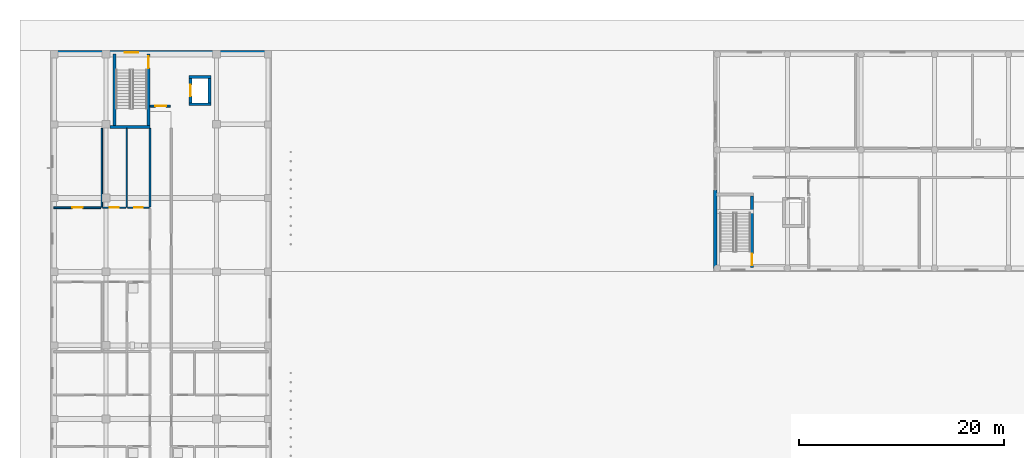
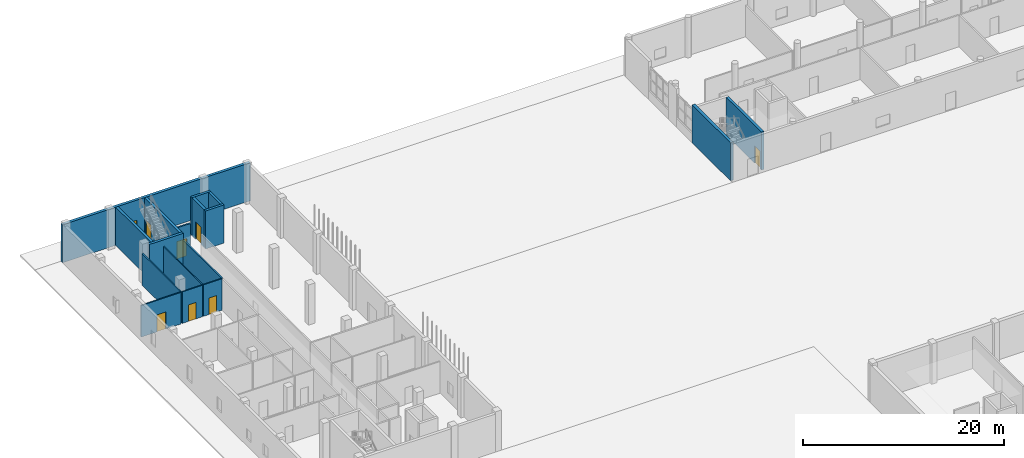
# One storey, part 45 of 85: 17 walls, 8 doors, 8 openings.
"""IFC4 building model written with IfcOpenShell, lengths in metres."""

from ifc_helpers import new_model, si_unit, derived_unit, direction, frame, frame_2d, origin, place, context, subcontext, project, spatial, rectangle, extrude, material, layer, layer_set, type_object, element, fill, save


model = new_model("IFC4")

# Units and contexts
model_context = context("Model", 3, precision=1e-05, world=origin(), true_north=direction((0.0, 1.0)))
body_context = subcontext(model_context, "Body", "Model", "MODEL_VIEW")
ifc_project = project(units=[si_unit("LENGTHUNIT", "METRE"), si_unit("AREAUNIT", "SQUARE_METRE"), si_unit("VOLUMEUNIT", "CUBIC_METRE"), si_unit("PLANEANGLEUNIT", "RADIAN"), si_unit("MASSUNIT", "GRAM", prefix="KILO"), derived_unit("THERMALTRANSMITTANCEUNIT", [(si_unit("MASSUNIT", "GRAM", prefix="KILO"), 1), (si_unit("TIMEUNIT", "SECOND"), -3), (si_unit("THERMODYNAMICTEMPERATUREUNIT", "KELVIN"), -1)])], contexts=[model_context])

# Site, building, storey
site_placement = place(None, origin())
site = spatial("IfcSite", under=ifc_project, at=site_placement, CompositionType="ELEMENT")
building_placement = place(site_placement, origin())
building = spatial("IfcBuilding", under=site, at=building_placement, Name="Ochrekiln Boulevard Commons", CompositionType="ELEMENT")
storey_placement = place(building_placement, origin())
storey = spatial("IfcBuildingStorey", under=building, at=storey_placement, Name="L00", CompositionType="ELEMENT", Elevation=0.0)

# Wall, opening, door
ifc_material_1 = material(Name="Desert ochre clinker brick masonry ASTM C216 Grade SW", Category="masonry")
ifc_layer_1 = layer(ifc_material_1, 0.320068359375)
ifc_layer_set_1 = layer_set([ifc_layer_1], Name="Desert ochre clinker brick masonry ASTM C216 Grade SW")
wall_type_1 = type_object("IfcWallType", Name="WL-EXT-OCHRE-320", PredefinedType="SOLIDWALL", material=ifc_layer_set_1)
wall_1_placement = place(storey_placement, frame((0.0, 118.639892578125, 0.0), z_axis=(0.0, 0.0, 1.0), x_axis=(1.0, 0.0, 0.0)))
wall_1 = element("IfcWall", 1, at=wall_1_placement, inside=storey, type_object=wall_type_1, Name="Block A L00 N Exterior Wall", PredefinedType="SOLIDWALL", context=body_context, shape_type="SweptSolid", body=[
    extrude(rectangle(XDim=21.60009765625, YDim=0.320068359375, at=frame_2d((10.800048828125, 0.0))), origin(), (0.0, 0.0, 1.0), 4.639892578125),
])
opening_1_placement = place(wall_1_placement, frame((7.25, 0.0, 0.0)))
opening_1 = element("IfcOpeningElement", 2, at=opening_1_placement, cuts=wall_1, Name="Opening D-L00-EX02", PredefinedType="OPENING", context=body_context, shape_type="SweptSolid", body=[
    extrude(rectangle(XDim=1.300048828125, YDim=2.199951171875, at=frame_2d((0.64990234375, 1.10009765625))), frame((0.0, 0.169921875, 0.0), z_axis=(0.0, -1.0, 0.0), x_axis=(1.0, 0.0, 0.0)), (0.0, 0.0, 1.0), 0.340087890625),
])
ifc_material_2 = material(Name="Bronze-anodized extruded aluminium 6063-T6", Category="aluminium")
door_type_1 = type_object("IfcDoorType", Name="DR-EXT-STAIR-130", OperationType="NOTDEFINED", PredefinedType="DOOR", material=ifc_material_2)
door_1_placement = place(opening_1_placement, origin())
door_1 = element("IfcDoor", 3, at=door_1_placement, inside=storey, type_object=door_type_1, Name="Stair ST-A2 Exterior Exit Discharge Door", OperationType="SINGLE_SWING_RIGHT", OverallHeight=2.199951171875, OverallWidth=1.300048828125, PredefinedType="DOOR", context=body_context, shape_type="SweptSolid", body=[
    extrude(rectangle(XDim=1.300048828125, YDim=2.199951171875, at=frame_2d((0.64990234375, 1.10009765625))), frame((0.0, 0.02490234375, 0.0), z_axis=(0.0, -1.0, 0.0), x_axis=(1.0, 0.0, 0.0)), (0.0, 0.0, 1.0), 0.050048828125),
])
fill(opening_1, door_1)

# Walls
wall_2_placement = place(storey_placement, frame((64.9599609375, 97.52001953125, 0.0), z_axis=(0.0, 0.0, 1.0), x_axis=(0.0, 1.0, 0.0)))
element("IfcWall", 4, at=wall_2_placement, inside=storey, type_object=wall_type_1, Name="Nursery Pavilion L00 W South Pier Wall", PredefinedType="SOLIDWALL", context=body_context, shape_type="SweptSolid", body=[
    extrude(rectangle(XDim=7.64990234375, YDim=0.320068359375, at=frame_2d((3.824951171875, 0.0))), origin(), (0.0, 0.0, 1.0), 4.6298828125),
])
ifc_material_3 = material(Name="Fire-rated Type X gypsum board on steel studs", Category="steel")
ifc_layer_2 = layer(ifc_material_3, 0.1650390625)
ifc_layer_set_2 = layer_set([ifc_layer_2], Name="Fire-rated Type X gypsum board on steel studs")
wall_type_2 = type_object("IfcWallType", Name="WL-PT-CORR-165", PredefinedType="PARTITIONING", material=ifc_layer_set_2)
wall_3_placement = place(storey_placement, frame((9.7099609375, 103.530029296875, 0.0), z_axis=(0.0, 0.0, 1.0), x_axis=(0.0, 1.0, 0.0)))
element("IfcWall", 5, at=wall_3_placement, inside=storey, type_object=wall_type_2, Name="L00 Interior Wall W-PC165", PredefinedType="PARTITIONING", context=body_context, shape_type="SweptSolid", body=[
    extrude(rectangle(XDim=7.669921875, YDim=0.1650390625, at=frame_2d((3.8349609375, 0.0))), origin(), (0.0, 0.0, 1.0), 3.840087890625),
])

# Wall, opening, door
ifc_layer_3 = layer(ifc_material_3, 0.18994140625)
ifc_layer_set_3 = layer_set([ifc_layer_3], Name="Fire-rated Type X gypsum board on steel studs")
wall_type_3 = type_object("IfcWallType", Name="WL-PT-LBY-190", PredefinedType="PARTITIONING", material=ifc_layer_set_3)
wall_4_placement = place(storey_placement, frame((9.699951171875, 113.3798828125, 0.0), z_axis=(0.0, 0.0, 1.0), x_axis=(1.0, 0.0, 0.0)))
wall_4 = element("IfcWall", 6, at=wall_4_placement, inside=storey, type_object=wall_type_3, Name="L00 Interior Wall W-PL190", PredefinedType="PARTITIONING", context=body_context, shape_type="SweptSolid", body=[
    extrude(rectangle(XDim=2.0, YDim=0.18994140625, at=frame_2d((1.0, 0.0))), origin(), (0.0, 0.0, 1.0), 3.840087890625),
])
opening_2_placement = place(wall_4_placement, frame((0.5, 0.0, 0.0)))
opening_2 = element("IfcOpeningElement", 7, at=opening_2_placement, cuts=wall_4, Name="Opening D-L00-002", PredefinedType="OPENING", context=body_context, shape_type="SweptSolid", body=[
    extrude(rectangle(XDim=1.10009765625, YDim=2.1201171875, at=frame_2d((0.550048828125, 1.06005859375))), frame((0.0, 0.10498046875, 0.0), z_axis=(0.0, -1.0, 0.0), x_axis=(1.0, 0.0, 0.0)), (0.0, 0.0, 1.0), 0.2099609375),
])
ifc_material_4 = material(Name="Hollow metal fire-rated steel door assembly", Category="steel")
door_type_2 = type_object("IfcDoorType", Name="DR-LOBBY-60", OperationType="NOTDEFINED", PredefinedType="DOOR", material=ifc_material_4)
door_2_placement = place(opening_2_placement, origin())
door_2 = element("IfcDoor", 8, at=door_2_placement, inside=storey, type_object=door_type_2, Name="L00 Interior Door to Fire Service Access Elevator Lobby", OperationType="SINGLE_SWING_RIGHT", OverallHeight=2.1201171875, OverallWidth=1.10009765625, PredefinedType="DOOR", context=body_context, shape_type="SweptSolid", body=[
    extrude(rectangle(XDim=1.10009765625, YDim=2.1201171875, at=frame_2d((0.550048828125, 1.06005859375))), frame((0.0, 0.02490234375, 0.0), z_axis=(0.0, -1.0, 0.0), x_axis=(1.0, 0.0, 0.0)), (0.0, 0.0, 1.0), 0.050048828125),
])
fill(opening_2, door_2)

ifc_layer_4 = layer(ifc_material_3, 0.1201171875)
ifc_layer_set_4 = layer_set([ifc_layer_4], Name="Fire-rated Type X gypsum board on steel studs")
wall_type_4 = type_object("IfcWallType", Name="WL-PT-LGT-120", PredefinedType="PARTITIONING", material=ifc_layer_set_4)
wall_5_placement = place(storey_placement, frame((7.52001953125, 103.449951171875, 0.0), z_axis=(0.0, 0.0, 1.0), x_axis=(1.0, 0.0, 0.0)))
wall_5 = element("IfcWall", 9, at=wall_5_placement, inside=storey, type_object=wall_type_4, Name="L00 Interior Wall W-PL120", PredefinedType="PARTITIONING", context=body_context, shape_type="SweptSolid", body=[
    extrude(rectangle(XDim=2.10791015625, YDim=0.1201171875, at=frame_2d((1.053955078125, 0.0))), origin(), (0.0, 0.0, 1.0), 3.840087890625),
])
opening_3_placement = place(wall_5_placement, frame((0.625, 0.0, 0.0)))
opening_3 = element("IfcOpeningElement", 10, at=opening_3_placement, cuts=wall_5, Name="Opening D-L00-013", PredefinedType="OPENING", context=body_context, shape_type="SweptSolid", body=[
    extrude(rectangle(XDim=0.85009765625, YDim=2.010009765625, at=frame_2d((0.425048828125, 1.0048828125))), frame((0.0, 0.070068359375, 0.0), z_axis=(0.0, -1.0, 0.0), x_axis=(1.0, 0.0, 0.0)), (0.0, 0.0, 1.0), 0.14013671875),
])
ifc_material_5 = material(Name="Solid core architectural oak door leaf")
door_type_3 = type_object("IfcDoorType", Name="DR-INT-KIT-085", OperationType="NOTDEFINED", PredefinedType="DOOR", material=ifc_material_5)
door_3_placement = place(opening_3_placement, origin())
door_3 = element("IfcDoor", 11, at=door_3_placement, inside=storey, type_object=door_type_3, Name="L00 Interior Door to Apartment Kitchen", OperationType="SINGLE_SWING_LEFT", OverallHeight=2.010009765625, OverallWidth=0.85009765625, PredefinedType="DOOR", context=body_context, shape_type="SweptSolid", body=[
    extrude(rectangle(XDim=0.85009765625, YDim=2.010009765625, at=frame_2d((0.425048828125, 1.0048828125))), frame((0.0, 0.02490234375, 0.0), z_axis=(0.0, -1.0, 0.0), x_axis=(1.0, 0.0, 0.0)), (0.0, 0.0, 1.0), 0.050048828125),
])
fill(opening_3, door_3)

wall_6_placement = place(storey_placement, frame((5.072998046875, 103.449951171875, 0.0), z_axis=(0.0, 0.0, 1.0), x_axis=(1.0, 0.0, 0.0)))
wall_6 = element("IfcWall", 12, at=wall_6_placement, inside=storey, type_object=wall_type_4, Name="L00 Interior Wall W-PL120", PredefinedType="PARTITIONING", context=body_context, shape_type="SweptSolid", body=[
    extrude(rectangle(XDim=2.287109375, YDim=0.1201171875, at=frame_2d((1.1435546875, 0.0))), origin(), (0.0, 0.0, 1.0), 3.840087890625),
])
opening_4_placement = place(wall_6_placement, frame((0.718017578125, 0.0, 0.0)))
opening_4 = element("IfcOpeningElement", 13, at=opening_4_placement, cuts=wall_6, Name="Opening D-L00-017", PredefinedType="OPENING", context=body_context, shape_type="SweptSolid", body=[
    extrude(rectangle(XDim=0.85009765625, YDim=2.010009765625, at=frame_2d((0.425048828125, 1.0048828125))), frame((0.0, 0.070068359375, 0.0), z_axis=(0.0, -1.0, 0.0), x_axis=(1.0, 0.0, 0.0)), (0.0, 0.0, 1.0), 0.14013671875),
])
door_4_placement = place(opening_4_placement, origin())
door_4 = element("IfcDoor", 14, at=door_4_placement, inside=storey, type_object=door_type_3, Name="L00 Interior Door to Apartment Walk-In Wardrobe", OperationType="SINGLE_SWING_LEFT", OverallHeight=2.010009765625, OverallWidth=0.85009765625, PredefinedType="DOOR", context=body_context, shape_type="SweptSolid", body=[
    extrude(rectangle(XDim=0.85009765625, YDim=2.010009765625, at=frame_2d((0.425048828125, 1.0048828125))), frame((0.0, 0.02490234375, 0.0), z_axis=(0.0, -1.0, 0.0), x_axis=(1.0, 0.0, 0.0)), (0.0, 0.0, 1.0), 0.050048828125),
])
fill(opening_4, door_4)

# Wall
wall_7_placement = place(storey_placement, frame((7.43994140625, 103.510009765625, 0.0), z_axis=(0.0, 0.0, 1.0), x_axis=(0.0, 1.0, 0.0)))
element("IfcWall", 15, at=wall_7_placement, inside=storey, type_object=wall_type_4, Name="L00 Interior Wall W-PL120", PredefinedType="PARTITIONING", context=body_context, shape_type="SweptSolid", body=[
    extrude(rectangle(XDim=7.68994140625, YDim=0.1201171875, at=frame_2d((3.844970703125, 0.0))), origin(), (0.0, 0.0, 1.0), 3.840087890625),
])

# Wall, opening, door
ifc_layer_5 = layer(ifc_material_3, 0.14990234375)
ifc_layer_set_5 = layer_set([ifc_layer_5], Name="Fire-rated Type X gypsum board on steel studs")
wall_type_5 = type_object("IfcWallType", Name="WL-PT-STD-150", PredefinedType="PARTITIONING", material=ifc_layer_set_5)
wall_8_placement = place(storey_placement, frame((0.320068359375, 103.449951171875, 0.0), z_axis=(0.0, 0.0, 1.0), x_axis=(1.0, 0.0, 0.0)))
wall_8 = element("IfcWall", 16, at=wall_8_placement, inside=storey, type_object=wall_type_5, Name="L00 Interior Wall W-PS150", PredefinedType="PARTITIONING", context=body_context, shape_type="SweptSolid", body=[
    extrude(rectangle(XDim=4.593017578125, YDim=0.14990234375, at=frame_2d((2.29638671875, 0.0))), origin(), (0.0, 0.0, 1.0), 3.840087890625),
])
opening_5_placement = place(wall_8_placement, frame((1.7919921875, 0.0, 0.0)))
opening_5 = element("IfcOpeningElement", 17, at=opening_5_placement, cuts=wall_8, Name="Opening D-L00-016", PredefinedType="OPENING", context=body_context, shape_type="SweptSolid", body=[
    extrude(rectangle(XDim=1.0400390625, YDim=2.080078125, at=frame_2d((0.52001953125, 1.0400390625))), frame((0.0, 0.0849609375, 0.0), z_axis=(0.0, -1.0, 0.0), x_axis=(1.0, 0.0, 0.0)), (0.0, 0.0, 1.0), 0.169921875),
])
door_type_4 = type_object("IfcDoorType", Name="DR-INT-BED-104", OperationType="NOTDEFINED", PredefinedType="DOOR", material=ifc_material_5)
door_5_placement = place(opening_5_placement, origin())
door_5 = element("IfcDoor", 18, at=door_5_placement, inside=storey, type_object=door_type_4, Name="L00 Interior Door to Secondary Apartment Bedroom", OperationType="SINGLE_SWING_RIGHT", OverallHeight=2.080078125, OverallWidth=1.0400390625, PredefinedType="DOOR", context=body_context, shape_type="SweptSolid", body=[
    extrude(rectangle(XDim=1.0400390625, YDim=2.080078125, at=frame_2d((0.52001953125, 1.0400390625))), frame((0.0, 0.02490234375, 0.0), z_axis=(0.0, -1.0, 0.0), x_axis=(1.0, 0.0, 0.0)), (0.0, 0.0, 1.0), 0.050048828125),
])
fill(opening_5, door_5)

# Walls
wall_9_placement = place(storey_placement, frame((4.992919921875, 103.510009765625, 0.0), z_axis=(0.0, 0.0, 1.0), x_axis=(0.0, 1.0, 0.0)))
element("IfcWall", 19, at=wall_9_placement, inside=storey, type_object=wall_type_5, Name="L00 Interior Wall W-PS150", PredefinedType="PARTITIONING", context=body_context, shape_type="SweptSolid", body=[
    extrude(rectangle(XDim=7.68994140625, YDim=0.14990234375, at=frame_2d((3.844970703125, 0.0))), origin(), (0.0, 0.0, 1.0), 3.840087890625),
])
ifc_material_6 = material(Name="Concrete C40/50", Category="concrete")
ifc_layer_6 = layer(ifc_material_6, 0.27490234375)
ifc_layer_set_6 = layer_set([ifc_layer_6], Name="Concrete C40/50")
wall_type_6 = type_object("IfcWallType", Name="WL-SH-275", PredefinedType="SHEAR", material=ifc_layer_set_6)
for number, where, z_axis, x_axis, name in (
    (20, (13.52490234375, 113.5625, 0.0), (0.0, 0.0, 1.0), (1.0, 0.0, 0.0), "Elevator FF-A2 L00 Hoistway Shear Wall"),
    (21, (13.52490234375, 116.237548828125, 0.0), (0.0, 0.0, 1.0), (1.0, 0.0, 0.0), "Elevator FF-A2 L00 Hoistway Shear Wall"),
):
    element("IfcWall", number, at=place(storey_placement, frame(where, z_axis=z_axis, x_axis=x_axis)), inside=storey, type_object=wall_type_6, Name=name, PredefinedType="SHEAR", context=body_context, shape_type="SweptSolid", body=[
        extrude(rectangle(XDim=2.150146484375, YDim=0.27490234375, at=frame_2d((1.0751953125, 0.0))), origin(), (0.0, 0.0, 1.0), 4.639892578125),
    ])

# Wall, opening, door
wall_10_placement = place(storey_placement, frame((13.66259765625, 113.699951171875, 0.0), z_axis=(0.0, 0.0, 1.0), x_axis=(0.0, 1.0, 0.0)))
wall_10 = element("IfcWall", 22, at=wall_10_placement, inside=storey, type_object=wall_type_6, Name="Elevator FF-A2 L00 Hoistway Shear Wall", PredefinedType="SHEAR", context=body_context, shape_type="SweptSolid", body=[
    extrude(rectangle(XDim=2.400146484375, YDim=0.27490234375, at=frame_2d((1.2001953125, 0.0))), origin(), (0.0, 0.0, 1.0), 4.639892578125),
])
opening_6_placement = place(wall_10_placement, frame((0.64990234375, 0.0, 0.0)))
opening_6 = element("IfcOpeningElement", 23, at=opening_6_placement, cuts=wall_10, Name="Opening LD-FF-A2-L00", PredefinedType="OPENING", context=body_context, shape_type="SweptSolid", body=[
    extrude(rectangle(XDim=1.10009765625, YDim=2.14990234375, at=frame_2d((0.550048828125, 1.074951171875))), frame((0.0, 0.1474609375, 0.0), z_axis=(0.0, -1.0, 0.0), x_axis=(1.0, 0.0, 0.0)), (0.0, 0.0, 1.0), 0.294921875),
])
ifc_material_7 = material(Name="Brushed stainless steel 316 elevator cab and doors", Category="steel")
door_type_5 = type_object("IfcDoorType", Name="DR-LIFT-LD90", OperationType="SLIDING_TO_LEFT", PredefinedType="DOOR", material=ifc_material_7)
door_6_placement = place(opening_6_placement, origin())
door_6 = element("IfcDoor", 24, at=door_6_placement, inside=storey, type_object=door_type_5, Name="Elevator FF-A2 L00 Sliding Landing Door LD-FF-A2-L00", OperationType="SLIDING_TO_LEFT", OverallHeight=2.14990234375, OverallWidth=1.10009765625, PredefinedType="DOOR", context=body_context, shape_type="SweptSolid", body=[
    extrude(rectangle(XDim=1.10009765625, YDim=2.14990234375, at=frame_2d((0.550048828125, 1.074951171875))), frame((0.0, 0.02490234375, 0.0), z_axis=(0.0, -1.0, 0.0), x_axis=(1.0, 0.0, 0.0)), (0.0, 0.0, 1.0), 0.050048828125),
])
fill(opening_6, door_6)

# Walls
wall_11_placement = place(storey_placement, frame((15.53759765625, 113.699951171875, 0.0), z_axis=(0.0, 0.0, 1.0), x_axis=(0.0, 1.0, 0.0)))
element("IfcWall", 25, at=wall_11_placement, inside=storey, type_object=wall_type_6, Name="Elevator FF-A2 L00 Hoistway Shear Wall", PredefinedType="SHEAR", context=body_context, shape_type="SweptSolid", body=[
    extrude(rectangle(XDim=2.400146484375, YDim=0.27490234375, at=frame_2d((1.2001953125, 0.0))), origin(), (0.0, 0.0, 1.0), 4.639892578125),
])
ifc_layer_7 = layer(ifc_material_6, 0.300048828125)
ifc_layer_set_7 = layer_set([ifc_layer_7], Name="Concrete C40/50")
wall_type_7 = type_object("IfcWallType", Name="WL-SH-300", PredefinedType="SHEAR", material=ifc_layer_set_7)
wall_12_placement = place(storey_placement, frame((5.77490234375, 111.330078125, 0.0), z_axis=(0.0, 0.0, 1.0), x_axis=(1.0, 0.0, 0.0)))
element("IfcWall", 26, at=wall_12_placement, inside=storey, type_object=wall_type_7, Name="Stair ST-A2 L00 Core Shear Wall S", PredefinedType="SHEAR", context=body_context, shape_type="SweptSolid", body=[
    extrude(rectangle(XDim=3.925048828125, YDim=0.300048828125, at=frame_2d((1.96240234375, 0.0))), origin(), (0.0, 0.0, 1.0), 4.639892578125),
])
wall_13_placement = place(storey_placement, frame((6.25, 111.47998046875, 0.0), z_axis=(0.0, 0.0, 1.0), x_axis=(0.0, 1.0, 0.0)))
element("IfcWall", 27, at=wall_13_placement, inside=storey, type_object=wall_type_7, Name="Stair ST-A2 L00 Core Shear Wall W", PredefinedType="SHEAR", context=body_context, shape_type="SweptSolid", body=[
    extrude(rectangle(XDim=7.0, YDim=0.300048828125, at=frame_2d((3.5, 0.0))), origin(), (0.0, 0.0, 1.0), 4.639892578125),
])

# Wall, opening, door
wall_14_placement = place(storey_placement, frame((9.550048828125, 111.47998046875, 0.0), z_axis=(0.0, 0.0, 1.0), x_axis=(0.0, 1.0, 0.0)))
wall_14 = element("IfcWall", 28, at=wall_14_placement, inside=storey, type_object=wall_type_7, Name="Stair ST-A2 L00 Core Shear Wall E", PredefinedType="SHEAR", context=body_context, shape_type="SweptSolid", body=[
    extrude(rectangle(XDim=7.0, YDim=0.300048828125, at=frame_2d((3.5, 0.0))), origin(), (0.0, 0.0, 1.0), 4.639892578125),
])
opening_7_placement = place(wall_14_placement, frame((5.625, 0.0, 0.0)))
opening_7 = element("IfcOpeningElement", 29, at=opening_7_placement, cuts=wall_14, Name="Opening D-L00-ST-A2", PredefinedType="OPENING", context=body_context, shape_type="SweptSolid", body=[
    extrude(rectangle(XDim=1.14990234375, YDim=2.1201171875, at=frame_2d((0.574951171875, 1.06005859375))), frame((0.0, 0.159912109375, 0.0), z_axis=(0.0, -1.0, 0.0), x_axis=(1.0, 0.0, 0.0)), (0.0, 0.0, 1.0), 0.320068359375),
])
door_type_6 = type_object("IfcDoorType", Name="DR-STAIR-90", OperationType="NOTDEFINED", PredefinedType="DOOR", material=ifc_material_4)
door_7_placement = place(opening_7_placement, origin())
door_7 = element("IfcDoor", 30, at=door_7_placement, inside=storey, type_object=door_type_6, Name="Enclosed Exit Stair ST-A2 L00 Rated Door", OperationType="SINGLE_SWING_RIGHT", OverallHeight=2.1201171875, OverallWidth=1.14990234375, PredefinedType="DOOR", context=body_context, shape_type="SweptSolid", body=[
    extrude(rectangle(XDim=1.14990234375, YDim=2.1201171875, at=frame_2d((0.574951171875, 1.06005859375))), frame((0.0, 0.02490234375, 0.0), z_axis=(0.0, -1.0, 0.0), x_axis=(1.0, 0.0, 0.0)), (0.0, 0.0, 1.0), 0.050048828125),
])
fill(opening_7, door_7)

wall_15_placement = place(storey_placement, frame((68.550048828125, 97.60009765625, 0.0), z_axis=(0.0, 0.0, 1.0), x_axis=(0.0, 1.0, 0.0)))
wall_15 = element("IfcWall", 31, at=wall_15_placement, inside=storey, type_object=wall_type_7, Name="Stair ST-N1 L00 Core Shear Wall E", PredefinedType="SHEAR", context=body_context, shape_type="SweptSolid", body=[
    extrude(rectangle(XDim=7.0, YDim=0.300048828125, at=frame_2d((3.5, 0.0))), origin(), (0.0, 0.0, 1.0), 4.6298828125),
])
opening_8_placement = place(wall_15_placement, frame((0.22509765625, 0.0, 0.0)))
opening_8 = element("IfcOpeningElement", 32, at=opening_8_placement, cuts=wall_15, Name="Opening D-L00-ST-N1", PredefinedType="OPENING", context=body_context, shape_type="SweptSolid", body=[
    extrude(rectangle(XDim=1.14990234375, YDim=2.1201171875, at=frame_2d((0.574951171875, 1.06005859375))), frame((0.0, 0.159912109375, 0.0), z_axis=(0.0, -1.0, 0.0), x_axis=(1.0, 0.0, 0.0)), (0.0, 0.0, 1.0), 0.320068359375),
])
door_8_placement = place(opening_8_placement, origin())
door_8 = element("IfcDoor", 33, at=door_8_placement, inside=storey, type_object=door_type_6, Name="Enclosed Exit Stair ST-N1 L00 Rated Door", OperationType="SINGLE_SWING_LEFT", OverallHeight=2.1201171875, OverallWidth=1.14990234375, PredefinedType="DOOR", context=body_context, shape_type="SweptSolid", body=[
    extrude(rectangle(XDim=1.14990234375, YDim=2.1201171875, at=frame_2d((0.574951171875, 1.06005859375))), frame((0.0, 0.02490234375, 0.0), z_axis=(0.0, -1.0, 0.0), x_axis=(1.0, 0.0, 0.0)), (0.0, 0.0, 1.0), 0.050048828125),
])
fill(opening_8, door_8)

save(model, "model.ifc")
